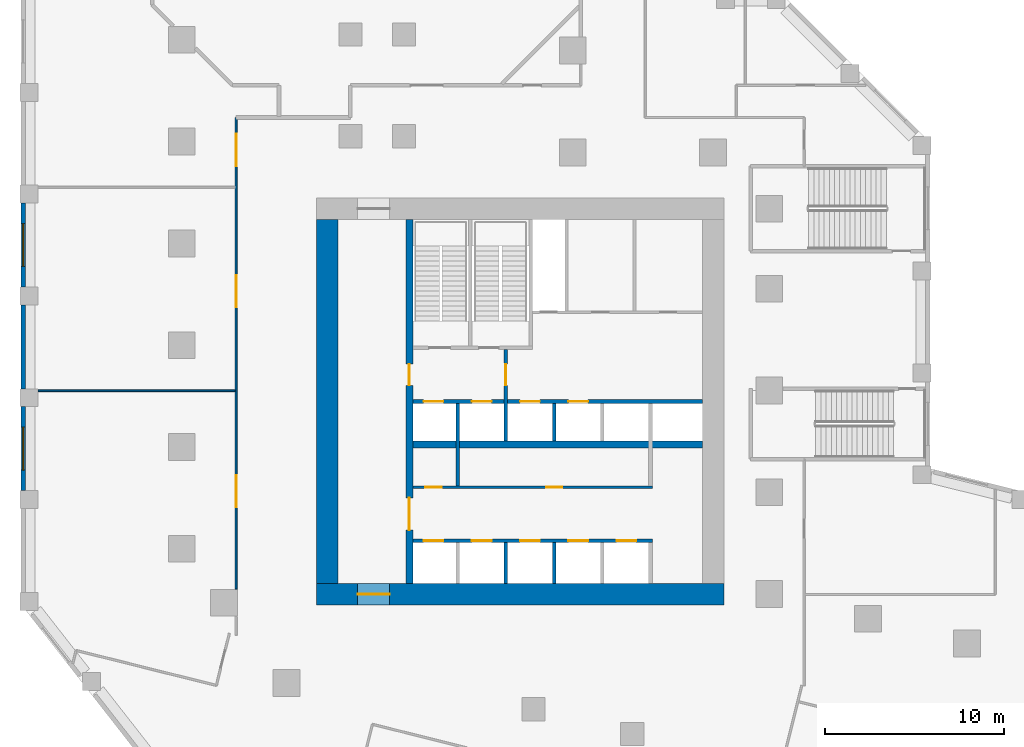
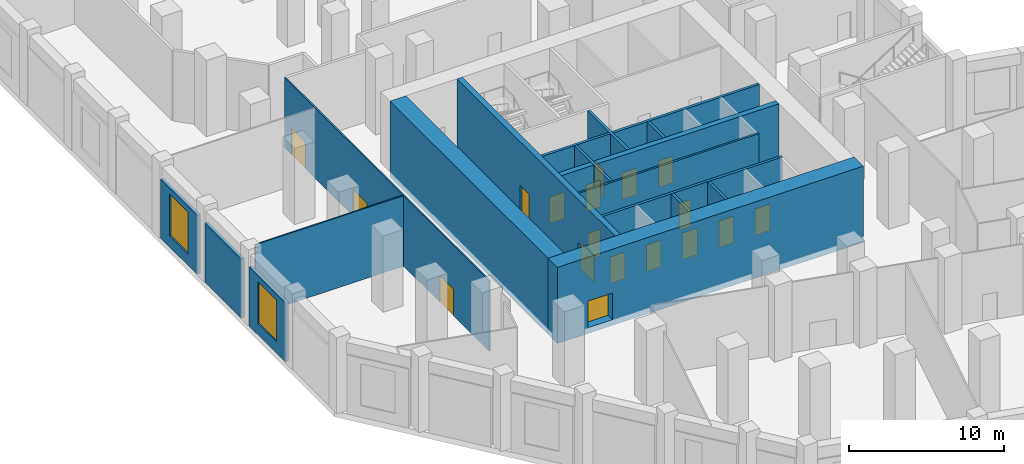
# One storey, part 4 of 15: 18 doors, 17 walls, 2 windows, 20 openings.
"""IFC4 building model written with IfcOpenShell, lengths in metres."""

import ifcopenshell
import ifcopenshell.guid

model = None  # the IFC model being written
_history = None  # IfcOwnerHistory: only IFC2X3 demands one
_inside = {}  # id of a spatial element -> (the spatial element, [elements in it])
_under = {}  # id of a project, library or spatial element -> (it, [spatial elements below it])
_declared = {}  # id of a project -> (the project, [libraries it declares])
_typed = {}  # id of a type object -> (the type object, [elements of that type])
_made_of = {}  # id of a material, layer set ... -> (it, [elements and type objects made of it])


def new_model(schema):
    """Start an empty IFC model of exactly this schema.

    Asked for "IFC4X3", IfcOpenShell would pick the latest addendum, in which some entities
    have other attributes; the version numbers below select the first issue.
    IFC2X3 requires an IfcOwnerHistory on every rooted entity: one is made here for all.
    """
    global model, _history
    if schema == "IFC4X3":
        model = ifcopenshell.file(schema_version=(4, 3, 0, 0))
    else:
        model = ifcopenshell.file(schema=schema)
    _inside.clear()
    _under.clear()
    _declared.clear()
    _typed.clear()
    _made_of.clear()
    _history = None
    if model.schema == "IFC2X3":
        org = make("IfcOrganization", Name="unknown")
        user = make(
            "IfcPersonAndOrganization",
            ThePerson=make("IfcPerson", FamilyName="unknown"),
            TheOrganization=org,
        )
        app = make(
            "IfcApplication",
            ApplicationDeveloper=org,
            Version="unknown",
            ApplicationFullName="unknown",
            ApplicationIdentifier="unknown",
        )
        _history = make(
            "IfcOwnerHistory",
            OwningUser=user,
            OwningApplication=app,
            ChangeAction="ADDED",
            CreationDate=0,
        )
    return model


def make(cls, **values):
    """One entity of the class cls with the attributes given. An attribute that is None is left unset."""
    return model.create_entity(
        cls, **{name: value for name, value in values.items() if value is not None}
    )


def rooted(cls, **values):
    """An entity with a GlobalId (a new one), such as an element, a storey or a relation."""
    return make(cls, GlobalId=ifcopenshell.guid.new(), OwnerHistory=_history, **values)


def si_unit(unit_type, name, prefix=None):
    """IfcSIUnit, for example si_unit("LENGTHUNIT", "METRE", prefix="MILLI")."""
    return make("IfcSIUnit", UnitType=unit_type, Prefix=prefix, Name=name)


def assignment(units):
    """IfcUnitAssignment: the units of a project."""
    return None if units is None else make("IfcUnitAssignment", Units=units)


def point(xyz):
    """IfcCartesianPoint."""
    return None if xyz is None else make("IfcCartesianPoint", Coordinates=xyz)


def direction(xyz):
    """IfcDirection."""
    return None if xyz is None else make("IfcDirection", DirectionRatios=xyz)


def frame(location, z_axis=None, x_axis=None):
    """IfcAxis2Placement3D, a coordinate frame: its origin and axes. An axis left out is left unset."""
    return make(
        "IfcAxis2Placement3D",
        Location=point(location),
        Axis=direction(z_axis),
        RefDirection=direction(x_axis),
    )


def frame_2d(location, x_axis=None):
    """IfcAxis2Placement2D, a coordinate frame in the plane: its origin and x axis."""
    return make(
        "IfcAxis2Placement2D", Location=point(location), RefDirection=direction(x_axis)
    )


def origin():
    """The frame at (0, 0, 0) with its axes left unset."""
    return frame((0.0, 0.0, 0.0))


def place(relative_to, where):
    """IfcLocalPlacement: puts the frame where relative to a parent placement (None: the world)."""
    return make(
        "IfcLocalPlacement", PlacementRelTo=relative_to, RelativePlacement=where
    )


def context(
    kind, dimensions, precision=None, world=None, true_north=None, identifier=None
):
    """IfcGeometricRepresentationContext, for example the 3D "Model" context."""
    return make(
        "IfcGeometricRepresentationContext",
        ContextIdentifier=identifier,
        ContextType=kind,
        CoordinateSpaceDimension=dimensions,
        Precision=precision,
        WorldCoordinateSystem=world,
        TrueNorth=true_north,
    )


def subcontext(parent, identifier, kind, view, scale=None):
    """IfcGeometricRepresentationSubContext, for example "Body" below "Model"."""
    return make(
        "IfcGeometricRepresentationSubContext",
        ContextIdentifier=identifier,
        ContextType=kind,
        ParentContext=parent,
        TargetScale=scale,
        TargetView=view,
    )


def project(units=None, contexts=None):
    """IfcProject with its units and contexts."""
    return rooted(
        "IfcProject",
        Name="project",
        RepresentationContexts=contexts,
        UnitsInContext=assignment(units),
    )


def spatial(cls, under=None, at=None, **own):
    """A site, building, storey or space (cls), placed at a placement, below another one or the project."""
    s = rooted(cls, ObjectPlacement=at, **own)
    if under is not None:
        _under.setdefault(under.id(), (under, []))[1].append(s)
    return s


def profile(cls, at=None, kind="AREA", **sizes):
    """A parametric profile (cls). Its sizes go by their IFC names, for example OverallWidth=200.0."""
    return make(cls, ProfileType=kind, Position=at, **sizes)


def rectangle(**sizes):
    """IfcRectangleProfileDef."""
    return profile("IfcRectangleProfileDef", **sizes)


def extrude(swept, where, along, depth):
    """IfcExtrudedAreaSolid: the profile swept, set in the frame where, extruded along a direction by depth."""
    return make(
        "IfcExtrudedAreaSolid",
        SweptArea=swept,
        Position=where,
        ExtrudedDirection=direction(along),
        Depth=depth,
    )


def shape(context_of_items, identifier, shape_type, items):
    """IfcShapeRepresentation: the items that make up one representation, for example the "Body"."""
    return make(
        "IfcShapeRepresentation",
        ContextOfItems=context_of_items,
        RepresentationIdentifier=identifier,
        RepresentationType=shape_type,
        Items=items,
    )


def material(Name=None, Category=None):
    """IfcMaterial."""
    return make("IfcMaterial", Name=Name, Category=Category)


def layer(
    of_material, thickness, ventilated=None, Name=None, Category=None, Priority=None
):
    """IfcMaterialLayer: one layer of a wall or slab, of a material (None: an air gap)."""
    return make(
        "IfcMaterialLayer",
        Material=of_material,
        LayerThickness=thickness,
        IsVentilated=ventilated,
        Name=Name,
        Category=Category,
        Priority=Priority,
    )


def layer_set(layers, Name=None):
    """IfcMaterialLayerSet."""
    return make("IfcMaterialLayerSet", MaterialLayers=layers, LayerSetName=Name)


def made_of(thing, what):
    """Note that an element or type object is made of a material, layer set ...; save() writes the relation."""
    if what is not None:
        _made_of.setdefault(what.id(), (what, []))[1].append(thing)
    return thing


def type_object(cls, material=None, **own):
    """A type object (cls), such as IfcWallType, which elements share."""
    return made_of(rooted(cls, **own), material)


def element(
    cls,
    number,
    at=None,
    inside=None,
    cuts=None,
    type_object=None,
    material=None,
    context=None,
    identifier="Body",
    shape_type=None,
    held_by="IfcProductDefinitionShape",
    body=None,
    shapes=None,
    **own,
):
    """One element of the class cls, such as IfcWall. Its Tag is "e" and its number.

    at: its placement. inside: the storey or other place that contains it. cuts: it is an
    opening in that element (IfcRelVoidsElement). A single representation is given by context,
    identifier, shape_type and body (its items); several are given by shapes. held_by: the class
    of the entity that holds the representations. save() writes the other relations.
    """
    e = rooted(cls, Tag="e%d" % number, ObjectPlacement=at, **own)
    if body is not None:
        shapes = [shape(context, identifier, shape_type, body)]
    if shapes is not None:
        e.Representation = make(held_by, Representations=shapes)
    if inside is not None:
        _inside.setdefault(inside.id(), (inside, []))[1].append(e)
    if cuts is not None:
        rooted(
            "IfcRelVoidsElement", RelatingBuildingElement=cuts, RelatedOpeningElement=e
        )
    if type_object is not None:
        _typed.setdefault(type_object.id(), (type_object, []))[1].append(e)
    return made_of(e, material)


def fill(opening, filler):
    """IfcRelFillsElement: the door or window that sits in an opening."""
    return rooted(
        "IfcRelFillsElement",
        RelatingOpeningElement=opening,
        RelatedBuildingElement=filler,
    )


def aggregate(whole, parts):
    """IfcRelAggregates: a whole, such as a stair, and the parts it consists of."""
    return rooted("IfcRelAggregates", RelatingObject=whole, RelatedObjects=parts)


def save(model, path):
    """Write the relations noted so far, then the file.

    IfcRelAggregates (storeys below a building ...), IfcRelContainedInSpatialStructure (elements
    in a storey), IfcRelDefinesByType, IfcRelAssociatesMaterial and IfcRelDeclares: one each for
    every whole, place, type object, material and project.
    """
    for whole, parts in _under.values():
        aggregate(whole, parts)
    for where, things in _inside.values():
        rooted(
            "IfcRelContainedInSpatialStructure",
            RelatedElements=things,
            RelatingStructure=where,
        )
    for kind, things in _typed.values():
        rooted("IfcRelDefinesByType", RelatedObjects=things, RelatingType=kind)
    for what, things in _made_of.values():
        rooted("IfcRelAssociatesMaterial", RelatedObjects=things, RelatingMaterial=what)
    for by, libraries in _declared.values():
        rooted("IfcRelDeclares", RelatingContext=by, RelatedDefinitions=libraries)
    model.write(path)


model = new_model("IFC4")

# Units and contexts
model_context = context("Model", 3, precision=1e-05, world=origin(), true_north=direction((0.0, 1.0)))
body_context = subcontext(model_context, "Body", "Model", "MODEL_VIEW")
ifc_project = project(units=[si_unit("LENGTHUNIT", "METRE"), si_unit("AREAUNIT", "SQUARE_METRE"), si_unit("VOLUMEUNIT", "CUBIC_METRE"), si_unit("PLANEANGLEUNIT", "RADIAN"), si_unit("MASSUNIT", "GRAM", prefix="KILO")], contexts=[model_context])

# Site, building, storey
site_placement = place(None, origin())
site = spatial("IfcSite", under=ifc_project, at=site_placement, CompositionType="ELEMENT")
building_placement = place(site_placement, origin())
building = spatial("IfcBuilding", under=site, at=building_placement, Name="Meshkara Civic Tower", CompositionType="ELEMENT")
storey_placement = place(building_placement, frame((0.0, 0.0, 12.60009765625)))
storey = spatial("IfcBuildingStorey", under=building, at=storey_placement, Name="L02", CompositionType="ELEMENT", Elevation=12.60009765625)

# Wall, openings, doors
ifc_material_1 = material(Name="Blockwork", Category="masonry")
ifc_layer_1 = layer(ifc_material_1, 0.14990234375)
ifc_layer_set_1 = layer_set([ifc_layer_1], Name="Core partition 150")
wall_type_1 = type_object("IfcWallType", Name="Core partition 150", PredefinedType="PARTITIONING", material=ifc_layer_set_1)
wall_1_placement = place(storey_placement, frame((13.39990234375, 20.699951171875, 0.0), z_axis=(0.0, 0.0, 1.0), x_axis=(1.0, 0.0, 0.0)))
wall_1 = element("IfcWall", 1, at=wall_1_placement, inside=storey, type_object=wall_type_1, Name="L02-C006", PredefinedType="PARTITIONING", context=body_context, shape_type="SweptSolid", body=[
    extrude(rectangle(XDim=13.400146484375, YDim=0.14990234375, at=frame_2d((6.7001953125, 0.0))), origin(), (0.0, 0.0, 1.0), 5.5498046875),
])
opening_1_placement = place(wall_1_placement, frame((0.699951171875, 0.0, 0.0)))
opening_1 = element("IfcOpeningElement", 2, at=opening_1_placement, cuts=wall_1, Name="Opening L02-K010", PredefinedType="OPENING", context=body_context, shape_type="SweptSolid", body=[
    extrude(rectangle(XDim=0.89990234375, YDim=2.10009765625, at=frame_2d((0.449951171875, 1.050048828125))), frame((0.0, 0.0849609375, 0.0), z_axis=(0.0, -1.0, 0.0), x_axis=(1.0, 0.0, 0.0)), (0.0, 0.0, 1.0), 0.169921875),
])
opening_2_placement = place(wall_1_placement, frame((7.449951171875, 0.0, 0.0)))
opening_2 = element("IfcOpeningElement", 3, at=opening_2_placement, cuts=wall_1, Name="Opening L02-K011", PredefinedType="OPENING", context=body_context, shape_type="SweptSolid", body=[
    extrude(rectangle(XDim=0.89990234375, YDim=2.10009765625, at=frame_2d((0.449951171875, 1.050048828125))), frame((0.0, 0.0849609375, 0.0), z_axis=(0.0, -1.0, 0.0), x_axis=(1.0, 0.0, 0.0)), (0.0, 0.0, 1.0), 0.169921875),
])
ifc_material_2 = material(Name="Timber door leaf in steel frame", Category="steel")
door_type_1 = type_object("IfcDoorType", Name="Core room door 900", OperationType="SINGLE_SWING_LEFT", PredefinedType="DOOR", material=ifc_material_2)
door_1_placement = place(opening_1_placement, origin())
door_1 = element("IfcDoor", 4, at=door_1_placement, inside=storey, type_object=door_type_1, Name="L02-K010", OperationType="SINGLE_SWING_RIGHT", OverallHeight=2.10009765625, OverallWidth=0.89990234375, PredefinedType="DOOR", context=body_context, shape_type="SweptSolid", body=[
    extrude(rectangle(XDim=0.89990234375, YDim=2.10009765625, at=frame_2d((0.449951171875, 1.050048828125))), frame((0.0, 0.02490234375, 0.0), z_axis=(0.0, -1.0, 0.0), x_axis=(1.0, 0.0, 0.0)), (0.0, 0.0, 1.0), 0.050048828125),
])
fill(opening_1, door_1)
door_2_placement = place(opening_2_placement, origin())
door_2 = element("IfcDoor", 5, at=door_2_placement, inside=storey, type_object=door_type_1, Name="L02-K011", OperationType="SINGLE_SWING_LEFT", OverallHeight=2.10009765625, OverallWidth=0.89990234375, PredefinedType="DOOR", context=body_context, shape_type="SweptSolid", body=[
    extrude(rectangle(XDim=0.89990234375, YDim=2.10009765625, at=frame_2d((0.449951171875, 1.050048828125))), frame((0.0, 0.02490234375, 0.0), z_axis=(0.0, -1.0, 0.0), x_axis=(1.0, 0.0, 0.0)), (0.0, 0.0, 1.0), 0.050048828125),
])
fill(opening_2, door_2)

# Wall, opening, door
ifc_material_3 = material(Name="Concrete C80", Category="concrete")
ifc_layer_2 = layer(ifc_material_3, 1.199951171875)
ifc_layer_set_2 = layer_set([ifc_layer_2], Name="Core ring wall 1200 C80")
wall_type_2 = type_object("IfcWallType", Name="Core ring wall 1200 C80", PredefinedType="SHEAR", material=ifc_layer_set_2)
wall_2_placement = place(storey_placement, frame((8.0, 14.699951171875, -0.4501953125), z_axis=(0.0, 0.0, 1.0), x_axis=(1.0, 0.0, 0.0)))
wall_2 = element("IfcWall", 6, at=wall_2_placement, inside=storey, type_object=wall_type_2, Name="L02-C001", PredefinedType="SHEAR", context=body_context, shape_type="SweptSolid", body=[
    extrude(rectangle(XDim=22.800048828125, YDim=1.199951171875, at=frame_2d((11.39990234375, 0.0))), origin(), (0.0, 0.0, 1.0), 6.0),
])
opening_3_placement = place(wall_2_placement, frame((2.300048828125, 0.0, 0.449951171875)))
opening_3 = element("IfcOpeningElement", 7, at=opening_3_placement, cuts=wall_2, Name="Opening L02-K021", PredefinedType="OPENING", context=body_context, shape_type="SweptSolid", body=[
    extrude(rectangle(XDim=1.800048828125, YDim=2.10009765625, at=frame_2d((0.89990234375, 1.050048828125))), frame((0.0, 0.60986328125, 0.0), z_axis=(0.0, -1.0, 0.0), x_axis=(1.0, 0.0, 0.0)), (0.0, 0.0, 1.0), 1.219970703125),
])
ifc_material_4 = material(Name="Fire-rated door leaf in steel frame", Category="steel")
door_type_2 = type_object("IfcDoorType", Name="Core double door 1800 EI 60", OperationType="DOUBLE_DOOR_SINGLE_SWING", PredefinedType="DOOR", material=ifc_material_4)
door_3_placement = place(opening_3_placement, origin())
door_3 = element("IfcDoor", 8, at=door_3_placement, inside=storey, type_object=door_type_2, Name="L02-K021", OperationType="DOUBLE_DOOR_SINGLE_SWING", OverallHeight=2.10009765625, OverallWidth=1.800048828125, PredefinedType="DOOR", context=body_context, shape_type="SweptSolid", body=[
    extrude(rectangle(XDim=1.800048828125, YDim=2.10009765625, at=frame_2d((0.89990234375, 1.050048828125))), frame((0.0, 0.02490234375, 0.0), z_axis=(0.0, -1.0, 0.0), x_axis=(1.0, 0.0, 0.0)), (0.0, 0.0, 1.0), 0.050048828125),
])
fill(opening_3, door_3)

# Walls
wall_3_placement = place(storey_placement, frame((8.60009765625, 15.300048828125, -0.4501953125), z_axis=(0.0, 0.0, 1.0), x_axis=(0.0, 1.0, 0.0)))
element("IfcWall", 9, at=wall_3_placement, inside=storey, type_object=wall_type_2, Name="L02-C003", PredefinedType="SHEAR", context=body_context, shape_type="SweptSolid", body=[
    extrude(rectangle(XDim=20.39990234375, YDim=1.199951171875, at=frame_2d((10.199951171875, 0.0))), origin(), (0.0, 0.0, 1.0), 6.0),
])
ifc_material_5 = material(Name="Concrete C80", Category="concrete")
ifc_layer_3 = layer(ifc_material_5, 0.39990234375)
ifc_layer_set_3 = layer_set([ifc_layer_3], Name="Core shear wall 400 C80")
wall_type_3 = type_object("IfcWallType", Name="Core shear wall 400 C80", PredefinedType="SHEAR", material=ifc_layer_set_3)
wall_4_placement = place(storey_placement, frame((13.39990234375, 23.10009765625, 0.0), z_axis=(0.0, 0.0, 1.0), x_axis=(1.0, 0.0, 0.0)))
element("IfcWall", 10, at=wall_4_placement, inside=storey, type_object=wall_type_3, Name="L02-C007", PredefinedType="SHEAR", context=body_context, shape_type="SweptSolid", body=[
    extrude(rectangle(XDim=16.2001953125, YDim=0.39990234375, at=frame_2d((8.10009765625, 0.0))), origin(), (0.0, 0.0, 1.0), 5.5498046875),
])

# Wall, openings, doors
wall_5_placement = place(storey_placement, frame((13.199951171875, 15.300048828125, 0.0), z_axis=(0.0, 0.0, 1.0), x_axis=(0.0, 1.0, 0.0)))
wall_5 = element("IfcWall", 11, at=wall_5_placement, inside=storey, type_object=wall_type_3, Name="L02-C011", PredefinedType="SHEAR", context=body_context, shape_type="SweptSolid", body=[
    extrude(rectangle(XDim=20.39990234375, YDim=0.39990234375, at=frame_2d((10.199951171875, 0.0))), origin(), (0.0, 0.0, 1.0), 5.5498046875),
])
opening_4_placement = place(wall_5_placement, frame((3.0, 0.0, 0.0)))
opening_4 = element("IfcOpeningElement", 12, at=opening_4_placement, cuts=wall_5, Name="Opening L02-K017", PredefinedType="OPENING", context=body_context, shape_type="SweptSolid", body=[
    extrude(rectangle(XDim=1.800048828125, YDim=2.10009765625, at=frame_2d((0.89990234375, 1.050048828125))), frame((0.0, 0.2099609375, 0.0), z_axis=(0.0, -1.0, 0.0), x_axis=(1.0, 0.0, 0.0)), (0.0, 0.0, 1.0), 0.419921875),
])
opening_5_placement = place(wall_5_placement, frame((11.10009765625, 0.0, 0.0)))
opening_5 = element("IfcOpeningElement", 13, at=opening_5_placement, cuts=wall_5, Name="Opening L02-K018", PredefinedType="OPENING", context=body_context, shape_type="SweptSolid", body=[
    extrude(rectangle(XDim=1.199951171875, YDim=2.10009765625, at=frame_2d((0.60009765625, 1.050048828125))), frame((0.0, 0.2099609375, 0.0), z_axis=(0.0, -1.0, 0.0), x_axis=(1.0, 0.0, 0.0)), (0.0, 0.0, 1.0), 0.419921875),
])
door_4_placement = place(opening_4_placement, origin())
door_4 = element("IfcDoor", 14, at=door_4_placement, inside=storey, type_object=door_type_2, Name="L02-K017", OperationType="DOUBLE_DOOR_SINGLE_SWING", OverallHeight=2.10009765625, OverallWidth=1.800048828125, PredefinedType="DOOR", context=body_context, shape_type="SweptSolid", body=[
    extrude(rectangle(XDim=1.800048828125, YDim=2.10009765625, at=frame_2d((0.89990234375, 1.050048828125))), frame((0.0, 0.02490234375, 0.0), z_axis=(0.0, -1.0, 0.0), x_axis=(1.0, 0.0, 0.0)), (0.0, 0.0, 1.0), 0.050048828125),
])
fill(opening_4, door_4)
ifc_material_6 = material(Name="Fire-rated door leaf in steel frame", Category="steel")
door_type_3 = type_object("IfcDoorType", Name="Fire-fighting lobby door 1200 EI 120", OperationType="SINGLE_SWING_LEFT", PredefinedType="DOOR", material=ifc_material_6)
door_5_placement = place(opening_5_placement, origin())
door_5 = element("IfcDoor", 15, at=door_5_placement, inside=storey, type_object=door_type_3, Name="L02-K018", OperationType="SINGLE_SWING_LEFT", OverallHeight=2.10009765625, OverallWidth=1.199951171875, PredefinedType="DOOR", context=body_context, shape_type="SweptSolid", body=[
    extrude(rectangle(XDim=1.199951171875, YDim=2.10009765625, at=frame_2d((0.60009765625, 1.050048828125))), frame((0.0, 0.02490234375, 0.0), z_axis=(0.0, -1.0, 0.0), x_axis=(1.0, 0.0, 0.0)), (0.0, 0.0, 1.0), 0.050048828125),
])
fill(opening_5, door_5)

ifc_material_7 = material(Name="Corridor wall 100")
ifc_layer_4 = layer(ifc_material_7, 0.10009765625)
ifc_layer_set_4 = layer_set([ifc_layer_4], Name="Corridor wall 100")
wall_type_4 = type_object("IfcWallType", Name="Corridor wall 100", PredefinedType="PARTITIONING", material=ifc_layer_set_4)
wall_6_placement = place(storey_placement, frame((3.5, 14.9990234375, 0.0), z_axis=(0.0, 0.0, 1.0), x_axis=(0.0, 1.0, 0.0)))
wall_6 = element("IfcWall", 16, at=wall_6_placement, inside=storey, type_object=wall_type_4, Name="L02-R008", PredefinedType="PARTITIONING", context=body_context, shape_type="SweptSolid", body=[
    extrude(rectangle(XDim=26.40087890625, YDim=0.10009765625, at=frame_2d((13.200439453125, 0.0))), origin(), (0.0, 0.0, 1.0), 5.5498046875),
])
opening_6_placement = place(wall_6_placement, frame((4.580078125, 0.0, 0.0)))
opening_6 = element("IfcOpeningElement", 17, at=opening_6_placement, cuts=wall_6, Name="Opening L02-P021", PredefinedType="OPENING", context=body_context, shape_type="SweptSolid", body=[
    extrude(rectangle(XDim=1.800048828125, YDim=2.10009765625, at=frame_2d((0.89990234375, 1.050048828125))), frame((0.0, 0.06005859375, 0.0), z_axis=(0.0, -1.0, 0.0), x_axis=(1.0, 0.0, 0.0)), (0.0, 0.0, 1.0), 0.1201171875),
])
opening_7_placement = place(wall_6_placement, frame((15.781005859375, 0.0, 0.0)))
opening_7 = element("IfcOpeningElement", 18, at=opening_7_placement, cuts=wall_6, Name="Opening L02-P024", PredefinedType="OPENING", context=body_context, shape_type="SweptSolid", body=[
    extrude(rectangle(XDim=1.800048828125, YDim=2.10009765625, at=frame_2d((0.89990234375, 1.050048828125))), frame((0.0, 0.06005859375, 0.0), z_axis=(0.0, -1.0, 0.0), x_axis=(1.0, 0.0, 0.0)), (0.0, 0.0, 1.0), 0.1201171875),
])
opening_8_placement = place(wall_6_placement, frame((23.680908203125, 0.0, 0.0)))
opening_8 = element("IfcOpeningElement", 19, at=opening_8_placement, cuts=wall_6, Name="Opening L02-P026", PredefinedType="OPENING", context=body_context, shape_type="SweptSolid", body=[
    extrude(rectangle(XDim=1.800048828125, YDim=2.10009765625, at=frame_2d((0.89990234375, 1.050048828125))), frame((0.0, 0.06005859375, 0.0), z_axis=(0.0, -1.0, 0.0), x_axis=(1.0, 0.0, 0.0)), (0.0, 0.0, 1.0), 0.1201171875),
])
ifc_material_8 = material(Name="Door pair 1800 x 2100")
door_type_4 = type_object("IfcDoorType", Name="Door pair 1800 x 2100", OperationType="SINGLE_SWING_LEFT", PredefinedType="DOOR", material=ifc_material_8)
door_6_placement = place(opening_6_placement, origin())
door_6 = element("IfcDoor", 20, at=door_6_placement, inside=storey, type_object=door_type_4, Name="L02-P021", OperationType="DOUBLE_DOOR_SINGLE_SWING", OverallHeight=2.10009765625, OverallWidth=1.800048828125, PredefinedType="DOOR", context=body_context, shape_type="SweptSolid", body=[
    extrude(rectangle(XDim=1.800048828125, YDim=2.10009765625, at=frame_2d((0.89990234375, 1.050048828125))), frame((0.0, 0.02490234375, 0.0), z_axis=(0.0, -1.0, 0.0), x_axis=(1.0, 0.0, 0.0)), (0.0, 0.0, 1.0), 0.050048828125),
])
fill(opening_6, door_6)
door_7_placement = place(opening_7_placement, origin())
door_7 = element("IfcDoor", 21, at=door_7_placement, inside=storey, type_object=door_type_4, Name="L02-P024", OperationType="DOUBLE_DOOR_SINGLE_SWING", OverallHeight=2.10009765625, OverallWidth=1.800048828125, PredefinedType="DOOR", context=body_context, shape_type="SweptSolid", body=[
    extrude(rectangle(XDim=1.800048828125, YDim=2.10009765625, at=frame_2d((0.89990234375, 1.050048828125))), frame((0.0, 0.02490234375, 0.0), z_axis=(0.0, -1.0, 0.0), x_axis=(1.0, 0.0, 0.0)), (0.0, 0.0, 1.0), 0.050048828125),
])
fill(opening_7, door_7)
door_8_placement = place(opening_8_placement, origin())
door_8 = element("IfcDoor", 22, at=door_8_placement, inside=storey, type_object=door_type_4, Name="L02-P026", OperationType="DOUBLE_DOOR_SINGLE_SWING", OverallHeight=2.10009765625, OverallWidth=1.800048828125, PredefinedType="DOOR", context=body_context, shape_type="SweptSolid", body=[
    extrude(rectangle(XDim=1.800048828125, YDim=2.10009765625, at=frame_2d((0.89990234375, 1.050048828125))), frame((0.0, 0.02490234375, 0.0), z_axis=(0.0, -1.0, 0.0), x_axis=(1.0, 0.0, 0.0)), (0.0, 0.0, 1.0), 0.050048828125),
])
fill(opening_8, door_8)

# Wall, opening, window
ifc_material_9 = material(Name="Stone cladding on insulated backing wall", Category="masonry")
ifc_layer_5 = layer(ifc_material_9, 0.25)
ifc_layer_set_5 = layer_set([ifc_layer_5], Name="PODIUM STONE WALL 250")
wall_type_5 = type_object("IfcWallType", Name="PODIUM STONE WALL 250", PredefinedType="SOLIDWALL", material=ifc_layer_set_5)
wall_7_placement = place(storey_placement, frame((-8.425048828125, 36.611083984375, 0.0), z_axis=(0.0, 0.0, 1.0), x_axis=(0.0, -1.0, 0.0)))
wall_7 = element("IfcWall", 23, at=wall_7_placement, inside=storey, type_object=wall_type_5, Name="Podium external wall", PredefinedType="SOLIDWALL", context=body_context, shape_type="SweptSolid", body=[
    extrude(rectangle(XDim=4.7001953125, YDim=0.25, at=frame_2d((2.35009765625, 0.0))), origin(), (0.0, 0.0, 1.0), 4.64990234375),
])
opening_9_placement = place(wall_7_placement, frame((1.14990234375, 0.0, 0.89990234375)))
opening_9 = element("IfcOpeningElement", 24, at=opening_9_placement, cuts=wall_7, Name="Opening PW7", PredefinedType="OPENING", context=body_context, shape_type="SweptSolid", body=[
    extrude(rectangle(XDim=2.39990234375, YDim=3.300048828125, at=frame_2d((1.199951171875, 1.64990234375))), frame((0.0, 0.135009765625, 0.0), z_axis=(0.0, -1.0, 0.0), x_axis=(1.0, 0.0, 0.0)), (0.0, 0.0, 1.0), 0.27001953125),
])
ifc_material_10 = material(Name="Tinted double glazing", Category="glass")
window_type = type_object("IfcWindowType", Name="PODIUM WINDOW 2400x3300", PartitioningType="DOUBLE_PANEL_VERTICAL", PredefinedType="WINDOW", material=ifc_material_10)
window_1_placement = place(opening_9_placement, origin())
window_1 = element("IfcWindow", 25, at=window_1_placement, inside=storey, type_object=window_type, Name="Podium window", OverallHeight=3.300048828125, OverallWidth=2.39990234375, PartitioningType="DOUBLE_PANEL_VERTICAL", PredefinedType="WINDOW", context=body_context, shape_type="SweptSolid", body=[
    extrude(rectangle(XDim=2.39990234375, YDim=3.300048828125, at=frame_2d((1.199951171875, 1.64990234375))), frame((0.0, 0.030029296875, 0.0), z_axis=(0.0, -1.0, 0.0), x_axis=(1.0, 0.0, 0.0)), (0.0, 0.0, 1.0), 0.06005859375),
])
fill(opening_9, window_1)

# Wall
wall_8_placement = place(storey_placement, frame((-8.425048828125, 30.910888671875, 0.0), z_axis=(0.0, 0.0, 1.0), x_axis=(0.0, -1.0, 0.0)))
element("IfcWall", 26, at=wall_8_placement, inside=storey, type_object=wall_type_5, Name="Podium external wall", PredefinedType="SOLIDWALL", context=body_context, shape_type="SweptSolid", body=[
    extrude(rectangle(XDim=4.699951171875, YDim=0.25, at=frame_2d((2.35009765625, 0.0))), origin(), (0.0, 0.0, 1.0), 4.64990234375),
])

# Wall, opening, window
wall_9_placement = place(storey_placement, frame((-8.425048828125, 25.2109375, 0.0), z_axis=(0.0, 0.0, 1.0), x_axis=(0.0, -1.0, 0.0)))
wall_9 = element("IfcWall", 27, at=wall_9_placement, inside=storey, type_object=wall_type_5, Name="Podium external wall", PredefinedType="SOLIDWALL", context=body_context, shape_type="SweptSolid", body=[
    extrude(rectangle(XDim=4.699951171875, YDim=0.25, at=frame_2d((2.35009765625, 0.0))), origin(), (0.0, 0.0, 1.0), 4.64990234375),
])
opening_10_placement = place(wall_9_placement, frame((1.14990234375, 0.0, 0.89990234375)))
opening_10 = element("IfcOpeningElement", 28, at=opening_10_placement, cuts=wall_9, Name="Opening PW7", PredefinedType="OPENING", context=body_context, shape_type="SweptSolid", body=[
    extrude(rectangle(XDim=2.39990234375, YDim=3.300048828125, at=frame_2d((1.199951171875, 1.64990234375))), frame((0.0, 0.135009765625, 0.0), z_axis=(0.0, -1.0, 0.0), x_axis=(1.0, 0.0, 0.0)), (0.0, 0.0, 1.0), 0.27001953125),
])
window_2_placement = place(opening_10_placement, origin())
window_2 = element("IfcWindow", 29, at=window_2_placement, inside=storey, type_object=window_type, Name="Podium window", OverallHeight=3.300048828125, OverallWidth=2.39990234375, PartitioningType="DOUBLE_PANEL_VERTICAL", PredefinedType="WINDOW", context=body_context, shape_type="SweptSolid", body=[
    extrude(rectangle(XDim=2.39990234375, YDim=3.300048828125, at=frame_2d((1.199951171875, 1.64990234375))), frame((0.0, 0.030029296875, 0.0), z_axis=(0.0, -1.0, 0.0), x_axis=(1.0, 0.0, 0.0)), (0.0, 0.0, 1.0), 0.06005859375),
])
fill(opening_10, window_2)

# Wall
ifc_material_11 = material(Name="Partition 100")
ifc_layer_6 = layer(ifc_material_11, 0.10009765625)
ifc_layer_set_6 = layer_set([ifc_layer_6], Name="Partition 100")
wall_type_6 = type_object("IfcWallType", Name="Partition 100", PredefinedType="PARTITIONING", material=ifc_layer_set_6)
wall_10_placement = place(storey_placement, frame((3.449951171875, 26.10009765625, 0.0), z_axis=(0.0, 0.0, 1.0), x_axis=(-1.0, 0.0, 0.0)))
element("IfcWall", 30, at=wall_10_placement, inside=storey, type_object=wall_type_6, Name="L02-R086", PredefinedType="PARTITIONING", context=body_context, shape_type="SweptSolid", body=[
    extrude(rectangle(XDim=11.030029296875, YDim=0.10009765625, at=frame_2d((5.51513671875, 0.0))), origin(), (0.0, 0.0, 1.0), 5.5498046875),
])

# Wall, openings, doors
ifc_material_12 = material(Name="Concrete C40/50", Category="concrete")
ifc_layer_7 = layer(ifc_material_12, 0.199951171875)
ifc_layer_set_7 = layer_set([ifc_layer_7], Name="Shaft wall 200 C40/50")
wall_type_7 = type_object("IfcWallType", Name="Shaft wall 200 C40/50", PredefinedType="SOLIDWALL", material=ifc_layer_set_7)
wall_11_placement = place(storey_placement, frame((13.39990234375, 17.699951171875, 0.0), z_axis=(0.0, 0.0, 1.0), x_axis=(1.0, 0.0, 0.0)))
wall_11 = element("IfcWall", 31, at=wall_11_placement, inside=storey, type_object=wall_type_7, Name="L02-C005", PredefinedType="SOLIDWALL", context=body_context, shape_type="SweptSolid", body=[
    extrude(rectangle(XDim=13.400146484375, YDim=0.199951171875, at=frame_2d((6.7001953125, 0.0))), origin(), (0.0, 0.0, 1.0), 5.5498046875),
])
opening_11_placement = place(wall_11_placement, frame((0.60009765625, 0.0, 0.0)))
opening_11 = element("IfcOpeningElement", 32, at=opening_11_placement, cuts=wall_11, Name="Opening L02-K001", PredefinedType="OPENING", context=body_context, shape_type="SweptSolid", body=[
    extrude(rectangle(XDim=1.10009765625, YDim=2.10009765625, at=frame_2d((0.550048828125, 1.050048828125))), frame((0.0, 0.10986328125, 0.0), z_axis=(0.0, -1.0, 0.0), x_axis=(1.0, 0.0, 0.0)), (0.0, 0.0, 1.0), 0.219970703125),
])
opening_12_placement = place(wall_11_placement, frame((3.300048828125, 0.0, 0.0)))
opening_12 = element("IfcOpeningElement", 33, at=opening_12_placement, cuts=wall_11, Name="Opening L02-K002", PredefinedType="OPENING", context=body_context, shape_type="SweptSolid", body=[
    extrude(rectangle(XDim=1.10009765625, YDim=2.10009765625, at=frame_2d((0.550048828125, 1.050048828125))), frame((0.0, 0.10986328125, 0.0), z_axis=(0.0, -1.0, 0.0), x_axis=(1.0, 0.0, 0.0)), (0.0, 0.0, 1.0), 0.219970703125),
])
opening_13_placement = place(wall_11_placement, frame((6.0, 0.0, 0.0)))
opening_13 = element("IfcOpeningElement", 34, at=opening_13_placement, cuts=wall_11, Name="Opening L02-K003", PredefinedType="OPENING", context=body_context, shape_type="SweptSolid", body=[
    extrude(rectangle(XDim=1.10009765625, YDim=2.10009765625, at=frame_2d((0.550048828125, 1.050048828125))), frame((0.0, 0.10986328125, 0.0), z_axis=(0.0, -1.0, 0.0), x_axis=(1.0, 0.0, 0.0)), (0.0, 0.0, 1.0), 0.219970703125),
])
opening_14_placement = place(wall_11_placement, frame((8.699951171875, 0.0, 0.0)))
opening_14 = element("IfcOpeningElement", 35, at=opening_14_placement, cuts=wall_11, Name="Opening L02-K004", PredefinedType="OPENING", context=body_context, shape_type="SweptSolid", body=[
    extrude(rectangle(XDim=1.10009765625, YDim=2.10009765625, at=frame_2d((0.550048828125, 1.050048828125))), frame((0.0, 0.10986328125, 0.0), z_axis=(0.0, -1.0, 0.0), x_axis=(1.0, 0.0, 0.0)), (0.0, 0.0, 1.0), 0.219970703125),
])
opening_15_placement = place(wall_11_placement, frame((11.39990234375, 0.0, 0.0)))
opening_15 = element("IfcOpeningElement", 36, at=opening_15_placement, cuts=wall_11, Name="Opening L02-K005", PredefinedType="OPENING", context=body_context, shape_type="SweptSolid", body=[
    extrude(rectangle(XDim=1.10009765625, YDim=2.10009765625, at=frame_2d((0.550048828125, 1.050048828125))), frame((0.0, 0.10986328125, 0.0), z_axis=(0.0, -1.0, 0.0), x_axis=(1.0, 0.0, 0.0)), (0.0, 0.0, 1.0), 0.219970703125),
])
ifc_material_13 = material(Name="Stainless steel landing door", Category="steel")
door_type_5 = type_object("IfcDoorType", Name="Lift landing door 1100", OperationType="SLIDING_TO_LEFT", PredefinedType="DOOR", material=ifc_material_13)
door_9_placement = place(opening_11_placement, origin())
door_9 = element("IfcDoor", 37, at=door_9_placement, inside=storey, type_object=door_type_5, Name="L02-K001", OperationType="SLIDING_TO_LEFT", OverallHeight=2.10009765625, OverallWidth=1.10009765625, PredefinedType="DOOR", context=body_context, shape_type="SweptSolid", body=[
    extrude(rectangle(XDim=1.10009765625, YDim=2.10009765625, at=frame_2d((0.550048828125, 1.050048828125))), frame((0.0, 0.02490234375, 0.0), z_axis=(0.0, -1.0, 0.0), x_axis=(1.0, 0.0, 0.0)), (0.0, 0.0, 1.0), 0.050048828125),
])
fill(opening_11, door_9)
door_10_placement = place(opening_12_placement, origin())
door_10 = element("IfcDoor", 38, at=door_10_placement, inside=storey, type_object=door_type_5, Name="L02-K002", OperationType="SLIDING_TO_LEFT", OverallHeight=2.10009765625, OverallWidth=1.10009765625, PredefinedType="DOOR", context=body_context, shape_type="SweptSolid", body=[
    extrude(rectangle(XDim=1.10009765625, YDim=2.10009765625, at=frame_2d((0.550048828125, 1.050048828125))), frame((0.0, 0.02490234375, 0.0), z_axis=(0.0, -1.0, 0.0), x_axis=(1.0, 0.0, 0.0)), (0.0, 0.0, 1.0), 0.050048828125),
])
fill(opening_12, door_10)
door_11_placement = place(opening_13_placement, origin())
door_11 = element("IfcDoor", 39, at=door_11_placement, inside=storey, type_object=door_type_5, Name="L02-K003", OperationType="SLIDING_TO_LEFT", OverallHeight=2.10009765625, OverallWidth=1.10009765625, PredefinedType="DOOR", context=body_context, shape_type="SweptSolid", body=[
    extrude(rectangle(XDim=1.10009765625, YDim=2.10009765625, at=frame_2d((0.550048828125, 1.050048828125))), frame((0.0, 0.02490234375, 0.0), z_axis=(0.0, -1.0, 0.0), x_axis=(1.0, 0.0, 0.0)), (0.0, 0.0, 1.0), 0.050048828125),
])
fill(opening_13, door_11)
door_12_placement = place(opening_14_placement, origin())
door_12 = element("IfcDoor", 40, at=door_12_placement, inside=storey, type_object=door_type_5, Name="L02-K004", OperationType="SLIDING_TO_LEFT", OverallHeight=2.10009765625, OverallWidth=1.10009765625, PredefinedType="DOOR", context=body_context, shape_type="SweptSolid", body=[
    extrude(rectangle(XDim=1.10009765625, YDim=2.10009765625, at=frame_2d((0.550048828125, 1.050048828125))), frame((0.0, 0.02490234375, 0.0), z_axis=(0.0, -1.0, 0.0), x_axis=(1.0, 0.0, 0.0)), (0.0, 0.0, 1.0), 0.050048828125),
])
fill(opening_14, door_12)
door_13_placement = place(opening_15_placement, origin())
door_13 = element("IfcDoor", 41, at=door_13_placement, inside=storey, type_object=door_type_5, Name="L02-K005", OperationType="SLIDING_TO_LEFT", OverallHeight=2.10009765625, OverallWidth=1.10009765625, PredefinedType="DOOR", context=body_context, shape_type="SweptSolid", body=[
    extrude(rectangle(XDim=1.10009765625, YDim=2.10009765625, at=frame_2d((0.550048828125, 1.050048828125))), frame((0.0, 0.02490234375, 0.0), z_axis=(0.0, -1.0, 0.0), x_axis=(1.0, 0.0, 0.0)), (0.0, 0.0, 1.0), 0.050048828125),
])
fill(opening_15, door_13)

wall_12_placement = place(storey_placement, frame((13.39990234375, 25.5, 0.0), z_axis=(0.0, 0.0, 1.0), x_axis=(1.0, 0.0, 0.0)))
wall_12 = element("IfcWall", 42, at=wall_12_placement, inside=storey, type_object=wall_type_7, Name="L02-C008", PredefinedType="SOLIDWALL", context=body_context, shape_type="SweptSolid", body=[
    extrude(rectangle(XDim=16.2001953125, YDim=0.199951171875, at=frame_2d((8.10009765625, 0.0))), origin(), (0.0, 0.0, 1.0), 5.5498046875),
])
opening_16_placement = place(wall_12_placement, frame((0.60009765625, 0.0, 0.0)))
opening_16 = element("IfcOpeningElement", 43, at=opening_16_placement, cuts=wall_12, Name="Opening L02-K006", PredefinedType="OPENING", context=body_context, shape_type="SweptSolid", body=[
    extrude(rectangle(XDim=1.10009765625, YDim=2.10009765625, at=frame_2d((0.550048828125, 1.050048828125))), frame((0.0, 0.10986328125, 0.0), z_axis=(0.0, -1.0, 0.0), x_axis=(1.0, 0.0, 0.0)), (0.0, 0.0, 1.0), 0.219970703125),
])
opening_17_placement = place(wall_12_placement, frame((3.300048828125, 0.0, 0.0)))
opening_17 = element("IfcOpeningElement", 44, at=opening_17_placement, cuts=wall_12, Name="Opening L02-K007", PredefinedType="OPENING", context=body_context, shape_type="SweptSolid", body=[
    extrude(rectangle(XDim=1.10009765625, YDim=2.10009765625, at=frame_2d((0.550048828125, 1.050048828125))), frame((0.0, 0.10986328125, 0.0), z_axis=(0.0, -1.0, 0.0), x_axis=(1.0, 0.0, 0.0)), (0.0, 0.0, 1.0), 0.219970703125),
])
opening_18_placement = place(wall_12_placement, frame((6.0, 0.0, 0.0)))
opening_18 = element("IfcOpeningElement", 45, at=opening_18_placement, cuts=wall_12, Name="Opening L02-K008", PredefinedType="OPENING", context=body_context, shape_type="SweptSolid", body=[
    extrude(rectangle(XDim=1.10009765625, YDim=2.10009765625, at=frame_2d((0.550048828125, 1.050048828125))), frame((0.0, 0.10986328125, 0.0), z_axis=(0.0, -1.0, 0.0), x_axis=(1.0, 0.0, 0.0)), (0.0, 0.0, 1.0), 0.219970703125),
])
opening_19_placement = place(wall_12_placement, frame((8.699951171875, 0.0, 0.0)))
opening_19 = element("IfcOpeningElement", 46, at=opening_19_placement, cuts=wall_12, Name="Opening L02-K009", PredefinedType="OPENING", context=body_context, shape_type="SweptSolid", body=[
    extrude(rectangle(XDim=1.10009765625, YDim=2.10009765625, at=frame_2d((0.550048828125, 1.050048828125))), frame((0.0, 0.10986328125, 0.0), z_axis=(0.0, -1.0, 0.0), x_axis=(1.0, 0.0, 0.0)), (0.0, 0.0, 1.0), 0.219970703125),
])
door_14_placement = place(opening_16_placement, origin())
door_14 = element("IfcDoor", 47, at=door_14_placement, inside=storey, type_object=door_type_5, Name="L02-K006", OperationType="SLIDING_TO_LEFT", OverallHeight=2.10009765625, OverallWidth=1.10009765625, PredefinedType="DOOR", context=body_context, shape_type="SweptSolid", body=[
    extrude(rectangle(XDim=1.10009765625, YDim=2.10009765625, at=frame_2d((0.550048828125, 1.050048828125))), frame((0.0, 0.02490234375, 0.0), z_axis=(0.0, -1.0, 0.0), x_axis=(1.0, 0.0, 0.0)), (0.0, 0.0, 1.0), 0.050048828125),
])
fill(opening_16, door_14)
door_15_placement = place(opening_17_placement, origin())
door_15 = element("IfcDoor", 48, at=door_15_placement, inside=storey, type_object=door_type_5, Name="L02-K007", OperationType="SLIDING_TO_LEFT", OverallHeight=2.10009765625, OverallWidth=1.10009765625, PredefinedType="DOOR", context=body_context, shape_type="SweptSolid", body=[
    extrude(rectangle(XDim=1.10009765625, YDim=2.10009765625, at=frame_2d((0.550048828125, 1.050048828125))), frame((0.0, 0.02490234375, 0.0), z_axis=(0.0, -1.0, 0.0), x_axis=(1.0, 0.0, 0.0)), (0.0, 0.0, 1.0), 0.050048828125),
])
fill(opening_17, door_15)
door_16_placement = place(opening_18_placement, origin())
door_16 = element("IfcDoor", 49, at=door_16_placement, inside=storey, type_object=door_type_5, Name="L02-K008", OperationType="SLIDING_TO_LEFT", OverallHeight=2.10009765625, OverallWidth=1.10009765625, PredefinedType="DOOR", context=body_context, shape_type="SweptSolid", body=[
    extrude(rectangle(XDim=1.10009765625, YDim=2.10009765625, at=frame_2d((0.550048828125, 1.050048828125))), frame((0.0, 0.02490234375, 0.0), z_axis=(0.0, -1.0, 0.0), x_axis=(1.0, 0.0, 0.0)), (0.0, 0.0, 1.0), 0.050048828125),
])
fill(opening_18, door_16)
door_17_placement = place(opening_19_placement, origin())
door_17 = element("IfcDoor", 50, at=door_17_placement, inside=storey, type_object=door_type_5, Name="L02-K009", OperationType="SLIDING_TO_LEFT", OverallHeight=2.10009765625, OverallWidth=1.10009765625, PredefinedType="DOOR", context=body_context, shape_type="SweptSolid", body=[
    extrude(rectangle(XDim=1.10009765625, YDim=2.10009765625, at=frame_2d((0.550048828125, 1.050048828125))), frame((0.0, 0.02490234375, 0.0), z_axis=(0.0, -1.0, 0.0), x_axis=(1.0, 0.0, 0.0)), (0.0, 0.0, 1.0), 0.050048828125),
])
fill(opening_19, door_17)

# Walls
wall_13_placement = place(storey_placement, frame((15.89990234375, 20.77490234375, 0.0), z_axis=(0.0, 0.0, 1.0), x_axis=(0.0, 1.0, 0.0)))
element("IfcWall", 51, at=wall_13_placement, inside=storey, type_object=wall_type_7, Name="L02-C013", PredefinedType="SOLIDWALL", context=body_context, shape_type="SweptSolid", body=[
    extrude(rectangle(XDim=4.625, YDim=0.199951171875, at=frame_2d((2.3125, 0.0))), origin(), (0.0, 0.0, 1.0), 5.5498046875),
])
wall_14_placement = place(storey_placement, frame((18.60009765625, 15.300048828125, 0.0), z_axis=(0.0, 0.0, 1.0), x_axis=(0.0, 1.0, 0.0)))
element("IfcWall", 52, at=wall_14_placement, inside=storey, type_object=wall_type_7, Name="L02-C015", PredefinedType="SOLIDWALL", context=body_context, shape_type="SweptSolid", body=[
    extrude(rectangle(XDim=2.300048828125, YDim=0.199951171875, at=frame_2d((1.14990234375, 0.0))), origin(), (0.0, 0.0, 1.0), 5.5498046875),
])

# Wall, opening, door
wall_15_placement = place(storey_placement, frame((18.60009765625, 23.300048828125, 0.0), z_axis=(0.0, 0.0, 1.0), x_axis=(0.0, 1.0, 0.0)))
wall_15 = element("IfcWall", 53, at=wall_15_placement, inside=storey, type_object=wall_type_7, Name="L02-C016", PredefinedType="SOLIDWALL", context=body_context, shape_type="SweptSolid", body=[
    extrude(rectangle(XDim=5.099853515625, YDim=0.199951171875, at=frame_2d((2.5498046875, 0.0))), origin(), (0.0, 0.0, 1.0), 5.5498046875),
])
opening_20_placement = place(wall_15_placement, frame((3.10009765625, 0.0, 0.0)))
opening_20 = element("IfcOpeningElement", 54, at=opening_20_placement, cuts=wall_15, Name="Opening L02-K019", PredefinedType="OPENING", context=body_context, shape_type="SweptSolid", body=[
    extrude(rectangle(XDim=1.199951171875, YDim=2.10009765625, at=frame_2d((0.60009765625, 1.050048828125))), frame((0.0, 0.10986328125, 0.0), z_axis=(0.0, -1.0, 0.0), x_axis=(1.0, 0.0, 0.0)), (0.0, 0.0, 1.0), 0.219970703125),
])
door_18_placement = place(opening_20_placement, origin())
door_18 = element("IfcDoor", 55, at=door_18_placement, inside=storey, type_object=door_type_3, Name="L02-K019", OperationType="SINGLE_SWING_RIGHT", OverallHeight=2.10009765625, OverallWidth=1.199951171875, PredefinedType="DOOR", context=body_context, shape_type="SweptSolid", body=[
    extrude(rectangle(XDim=1.199951171875, YDim=2.10009765625, at=frame_2d((0.60009765625, 1.050048828125))), frame((0.0, 0.02490234375, 0.0), z_axis=(0.0, -1.0, 0.0), x_axis=(1.0, 0.0, 0.0)), (0.0, 0.0, 1.0), 0.050048828125),
])
fill(opening_20, door_18)

# Walls
wall_16_placement = place(storey_placement, frame((21.300048828125, 15.300048828125, 0.0), z_axis=(0.0, 0.0, 1.0), x_axis=(0.0, 1.0, 0.0)))
element("IfcWall", 56, at=wall_16_placement, inside=storey, type_object=wall_type_7, Name="L02-C018", PredefinedType="SOLIDWALL", context=body_context, shape_type="SweptSolid", body=[
    extrude(rectangle(XDim=2.300048828125, YDim=0.199951171875, at=frame_2d((1.14990234375, 0.0))), origin(), (0.0, 0.0, 1.0), 5.5498046875),
])
wall_17_placement = place(storey_placement, frame((21.300048828125, 23.300048828125, 0.0), z_axis=(0.0, 0.0, 1.0), x_axis=(0.0, 1.0, 0.0)))
element("IfcWall", 57, at=wall_17_placement, inside=storey, type_object=wall_type_7, Name="L02-C019", PredefinedType="SOLIDWALL", context=body_context, shape_type="SweptSolid", body=[
    extrude(rectangle(XDim=2.099853515625, YDim=0.199951171875, at=frame_2d((1.0498046875, 0.0))), origin(), (0.0, 0.0, 1.0), 5.5498046875),
])

save(model, "model.ifc")
